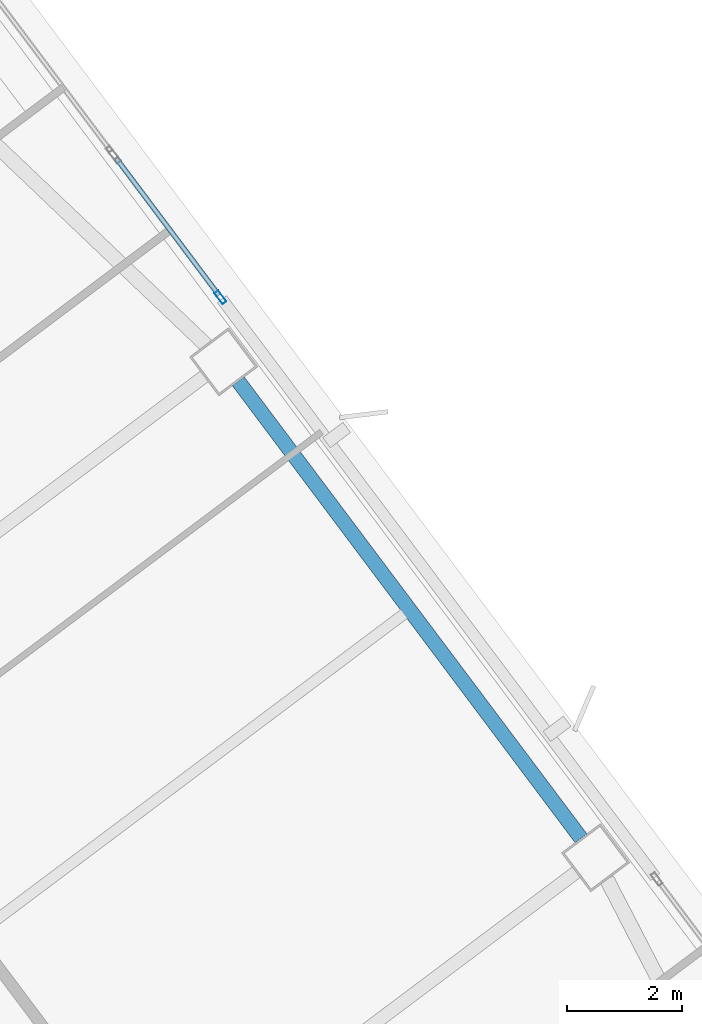
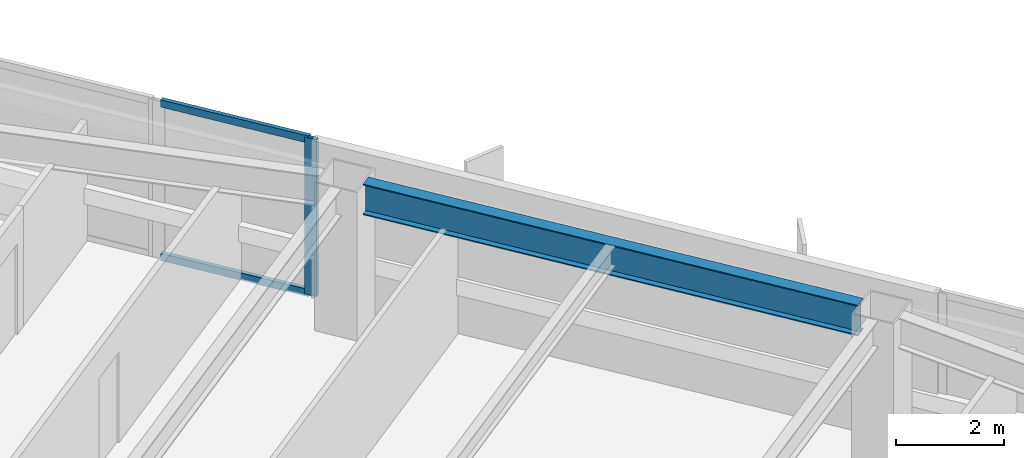
# One storey, part 36 of 62: 3 members, 1 beam, 1 element without a shape of its own.
"""IFC4 building model written with IfcOpenShell, lengths in metres."""

from ifc_helpers import new_model, si_unit, direction, frame, origin, origin_2d, place, context, subcontext, project, spatial, hollow_rectangle, i_section, extrude, material, material_profile, profile_set, type_object, element, aggregate, save


model = new_model("IFC4")

# Units and contexts
model_context = context("Model", 3, precision=1e-05, world=origin(), true_north=direction((0.0, 1.0)))
body_context = subcontext(model_context, "Body", "Model", "MODEL_VIEW")
ifc_project = project(units=[si_unit("LENGTHUNIT", "METRE"), si_unit("AREAUNIT", "SQUARE_METRE"), si_unit("VOLUMEUNIT", "CUBIC_METRE"), si_unit("PLANEANGLEUNIT", "RADIAN"), si_unit("MASSUNIT", "GRAM", prefix="KILO")], contexts=[model_context])

# Site, building, storey
site_placement = place(None, origin())
site = spatial("IfcSite", under=ifc_project, at=site_placement, CompositionType="ELEMENT")
building_placement = place(site_placement, origin())
building = spatial("IfcBuilding", under=site, at=building_placement, Name="Tashvorn Skyway Center", CompositionType="ELEMENT")
storey_placement = place(building_placement, frame((0.0, 0.0, 28.14990234375)))
storey = spatial("IfcBuildingStorey", under=building, at=storey_placement, Name="L06", CompositionType="ELEMENT", Elevation=28.14990234375)

# Beam
ifc_material_1 = material(Name="Steel ASTM A992 Grade 50", Category="steel")
ifc_material_profile_1 = material_profile(ifc_material_1, i_section(OverallWidth=0.256103515625, OverallDepth=0.693115234375, WebThickness=0.014404296875, FlangeThickness=0.023681640625, at=origin_2d()), Name="W27X114")
ifc_profile_set_1 = profile_set([ifc_material_profile_1], Name="Steel ASTM A992 Grade 50")
beam_type = type_object("IfcBeamType", Name="BM-SPANDREL-W27X114", PredefinedType="SPANDREL", material=ifc_profile_set_1)
beam_placement = place(storey_placement, frame((133.827880859375, 40.64599609375, 3.003662109375), z_axis=(-0.599988234018, 0.800008824351, 0.0), x_axis=(-0.800008824351, -0.599988234018, 0.0)))
element("IfcBeam", 1, at=beam_placement, inside=storey, type_object=beam_type, Name="Tower 2 L06 Spandrel Beam 05", PredefinedType="SPANDREL", context=body_context, shape_type="SweptSolid", body=[
    extrude(i_section(OverallWidth=0.256103515625, OverallDepth=0.693115234375, WebThickness=0.014404296875, FlangeThickness=0.023681640625, at=origin_2d()), origin(), (0.0, 0.0, 1.0), 9.9599609375),
])

# Curtain wall, members
ifc_material_2 = material(Name="Thermally broken bronze-anodized aluminium 6063-T6", Category="aluminium")
curtain_wall_type = type_object("IfcCurtainWallType", Name="CW-CW-Z1", PredefinedType="NOTDEFINED", material=ifc_material_2)
curtain_wall_placement = place(storey_placement, origin())
curtain_wall = element("IfcCurtainWall", 2, at=curtain_wall_placement, inside=storey, type_object=curtain_wall_type, Name="Tower 2 L06 East Unitised Curtain Wall Glazing Group 2", PredefinedType="NOTDEFINED")
ifc_material_profile_2 = material_profile(ifc_material_2, hollow_rectangle(XDim=0.0849609375, YDim=0.239990234375, WallThickness=0.0048828125, at=origin_2d()), Name="ALU-MULL-85x240")
ifc_profile_set_2 = profile_set([ifc_material_profile_2], Name="Thermally broken bronze-anodized aluminium 6063-T6")
member_type_1 = type_object("IfcMemberType", Name="CWM-CW-Z1", PredefinedType="MULLION", material=ifc_profile_set_2)
member_1_placement = place(storey_placement, frame((127.54248046875, 50.07666015625, 0.0), z_axis=(0.0, 0.0, 1.0), x_axis=(0.799996186392, 0.600005084776, 0.0)))
member_1 = element("IfcMember", 3, at=member_1_placement, type_object=member_type_1, Name="CW-Z1 mullion 2", PredefinedType="MULLION", context=body_context, shape_type="SweptSolid", body=[
    extrude(hollow_rectangle(XDim=0.0849609375, YDim=0.239990234375, WallThickness=0.0048828125, at=origin_2d()), origin(), (0.0, 0.0, 1.0), 3.550048828125),
])
ifc_material_profile_3 = material_profile(ifc_material_2, hollow_rectangle(XDim=0.0849609375, YDim=0.1650390625, WallThickness=0.0048828125, at=origin_2d()), Name="ALU-TRAN-85x165")
ifc_profile_set_3 = profile_set([ifc_material_profile_3], Name="Thermally broken bronze-anodized aluminium 6063-T6")
member_type_2 = type_object("IfcMemberType", Name="CWT-CW-Z1", PredefinedType="USERDEFINED", material=ifc_profile_set_3)
member_2_placement = place(storey_placement, frame((125.73095703125, 52.491943359375, 0.04248046875), z_axis=(0.600026244674, -0.799980315822, 0.0), x_axis=(0.799980315822, 0.600026244674, 0.0)))
member_2 = element("IfcMember", 4, at=member_2_placement, type_object=member_type_2, Name="CW-Z1 transom 1.1", ObjectType="TRANSOM", PredefinedType="USERDEFINED", context=body_context, shape_type="SweptSolid", body=[
    extrude(hollow_rectangle(XDim=0.0849609375, YDim=0.1650390625, WallThickness=0.0048828125, at=origin_2d()), origin(), (0.0, 0.0, 1.0), 2.976806640625),
])
member_3_placement = place(storey_placement, frame((125.73095703125, 52.491943359375, 3.507568359375), z_axis=(0.600026244674, -0.799980315822, 0.0), x_axis=(0.799980315822, 0.600026244674, 0.0)))
member_3 = element("IfcMember", 5, at=member_3_placement, type_object=member_type_2, Name="CW-Z1 transom 1.2", ObjectType="TRANSOM", PredefinedType="USERDEFINED", context=body_context, shape_type="SweptSolid", body=[
    extrude(hollow_rectangle(XDim=0.0849609375, YDim=0.1650390625, WallThickness=0.0048828125, at=origin_2d()), origin(), (0.0, 0.0, 1.0), 2.976806640625),
])
aggregate(curtain_wall, [member_1, member_2, member_3])

save(model, "model.ifc")
